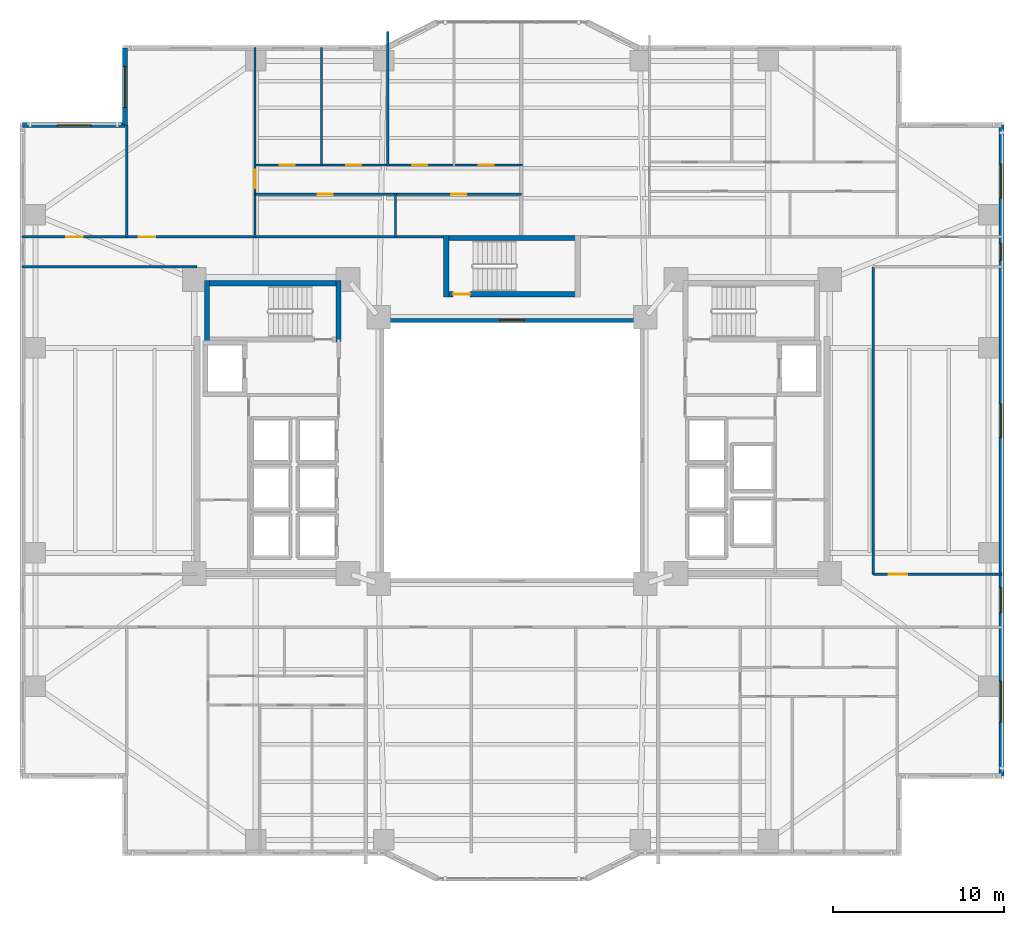
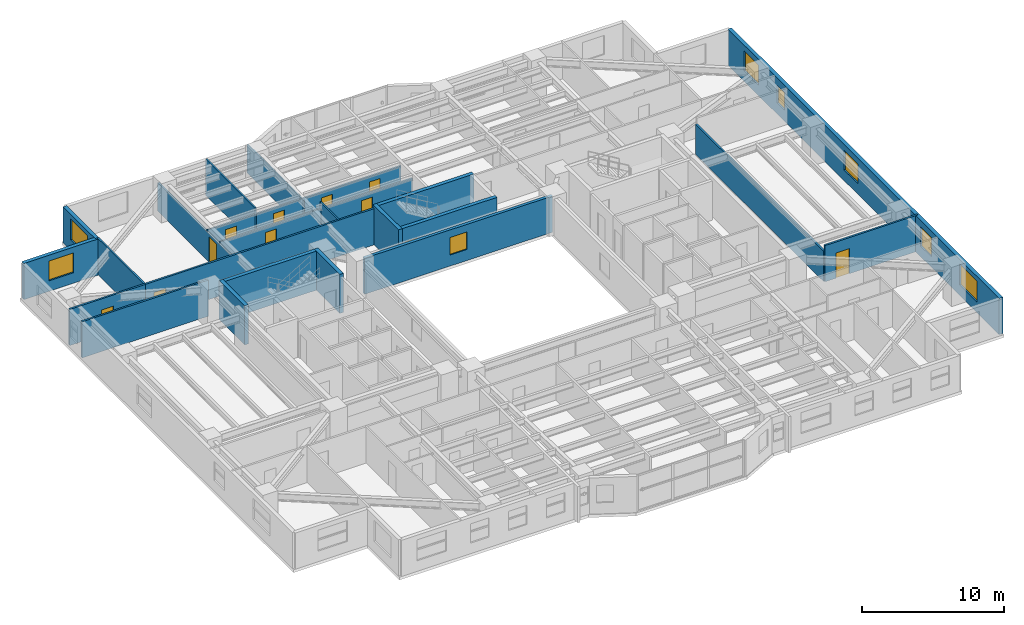
# One storey, part 13 of 20: 23 walls, 11 doors, 8 windows, 19 openings.
"""IFC4 building model written with IfcOpenShell, lengths in metres."""

from ifc_helpers import new_model, si_unit, direction, frame, frame_2d, origin, place, context, subcontext, project, spatial, rectangle, extrude, material, layer, layer_set, type_object, element, fill, save


model = new_model("IFC4")

# Units and contexts
model_context = context("Model", 3, precision=1e-05, world=origin(), true_north=direction((0.0, 1.0)))
body_context = subcontext(model_context, "Body", "Model", "MODEL_VIEW")
ifc_project = project(units=[si_unit("LENGTHUNIT", "METRE"), si_unit("AREAUNIT", "SQUARE_METRE"), si_unit("VOLUMEUNIT", "CUBIC_METRE"), si_unit("PLANEANGLEUNIT", "RADIAN"), si_unit("MASSUNIT", "GRAM", prefix="KILO")], contexts=[model_context])

# Site, building, storey
site_placement = place(None, origin())
site = spatial("IfcSite", under=ifc_project, at=site_placement, CompositionType="ELEMENT")
building_placement = place(site_placement, origin())
building = spatial("IfcBuilding", under=site, at=building_placement, Name="Tarnavaz Court Tower", CompositionType="ELEMENT")
storey_placement = place(building_placement, frame((0.0, 0.0, 30.699951171875)))
storey = spatial("IfcBuildingStorey", under=building, at=storey_placement, Name="L07", CompositionType="ELEMENT", Elevation=30.699951171875)

# Walls
ifc_material_1 = material(Name="Concrete C60/75", Category="concrete")
ifc_layer_1 = layer(ifc_material_1, 0.300048828125)
ifc_layer_set_1 = layer_set([ifc_layer_1], Name="Concrete C60/75")
wall_type_1 = type_object("IfcWallType", Name="WL-CORE-300-C60", PredefinedType="SHEAR", material=ifc_layer_set_1)
wall_1_placement = place(storey_placement, frame((-18.0, 9.7900390625, 0.0), z_axis=(0.0, 0.0, 1.0), x_axis=(1.0, 0.0, 0.0)))
element("IfcWall", 1, at=wall_1_placement, inside=storey, type_object=wall_type_1, Name="L07 West Stair Core Wall 001", PredefinedType="SHEAR", context=body_context, shape_type="SweptSolid", body=[
    extrude(rectangle(XDim=8.0, YDim=0.300048828125, at=frame_2d((4.0, 0.0))), origin(), (0.0, 0.0, 1.0), 3.35009765625),
])
for number, where, z_axis, x_axis, name in (
    (2, (-17.85009765625, 6.35009765625, 0.0), (0.0, 0.0, 1.0), (0.0, 1.0, 0.0), "L07 West Stair Core Wall 003"),
    (3, (-10.14990234375, 6.35009765625, 0.0), (0.0, 0.0, 1.0), (0.0, 1.0, 0.0), "L07 West Stair Core Wall 004"),
):
    element("IfcWall", number, at=place(storey_placement, frame(where, z_axis=z_axis, x_axis=x_axis)), inside=storey, type_object=wall_type_1, Name=name, PredefinedType="SHEAR", context=body_context, shape_type="SweptSolid", body=[
        extrude(rectangle(XDim=3.58984375, YDim=0.300048828125, at=frame_2d((1.794921875, 0.0))), origin(), (0.0, 0.0, 1.0), 3.35009765625),
    ])
wall_2_placement = place(storey_placement, frame((-4.0, 12.43994140625, 0.0), z_axis=(0.0, 0.0, 1.0), x_axis=(1.0, 0.0, 0.0)))
element("IfcWall", 4, at=wall_2_placement, inside=storey, type_object=wall_type_1, Name="L07 North Stair Core Wall 009", PredefinedType="SHEAR", context=body_context, shape_type="SweptSolid", body=[
    extrude(rectangle(XDim=8.0, YDim=0.300048828125, at=frame_2d((4.0, 0.0))), origin(), (0.0, 0.0, 1.0), 3.35009765625),
])

# Wall, opening, door
wall_3_placement = place(storey_placement, frame((-4.0, 9.14990234375, 0.0), z_axis=(0.0, 0.0, 1.0), x_axis=(1.0, 0.0, 0.0)))
wall_3 = element("IfcWall", 5, at=wall_3_placement, inside=storey, type_object=wall_type_1, Name="L07 North Stair Core Wall 010", PredefinedType="SHEAR", context=body_context, shape_type="SweptSolid", body=[
    extrude(rectangle(XDim=8.0, YDim=0.300048828125, at=frame_2d((4.0, 0.0))), origin(), (0.0, 0.0, 1.0), 3.35009765625),
])
opening_1_placement = place(wall_3_placement, frame((0.550048828125, 0.0, 0.0)))
opening_1 = element("IfcOpeningElement", 6, at=opening_1_placement, cuts=wall_3, Name="Opening D01", PredefinedType="OPENING", context=body_context, shape_type="SweptSolid", body=[
    extrude(rectangle(XDim=1.0, YDim=2.14990234375, at=frame_2d((0.5, 1.074951171875))), frame((0.0, 0.159912109375, 0.0), z_axis=(0.0, -1.0, 0.0), x_axis=(1.0, 0.0, 0.0)), (0.0, 0.0, 1.0), 0.320068359375),
])
ifc_material_2 = material(Name="Fire-Rated Hardwood Timber Core", Category="wood")
door_type_1 = type_object("IfcDoorType", Name="DR-FD90-1000", OperationType="NOTDEFINED", PredefinedType="DOOR", material=ifc_material_2)
door_1_placement = place(opening_1_placement, origin())
door_1 = element("IfcDoor", 7, at=door_1_placement, inside=storey, type_object=door_type_1, Name="L07 Stair ST-N1 Exit Door", OperationType="SINGLE_SWING_LEFT", OverallHeight=2.14990234375, OverallWidth=1.0, PredefinedType="DOOR", context=body_context, shape_type="SweptSolid", body=[
    extrude(rectangle(XDim=1.0, YDim=2.14990234375, at=frame_2d((0.5, 1.074951171875))), frame((0.0, 0.02490234375, 0.0), z_axis=(0.0, -1.0, 0.0), x_axis=(1.0, 0.0, 0.0)), (0.0, 0.0, 1.0), 0.050048828125),
])
fill(opening_1, door_1)

# Wall
wall_4_placement = place(storey_placement, frame((-3.85009765625, 9.0, 0.0), z_axis=(0.0, 0.0, 1.0), x_axis=(0.0, 1.0, 0.0)))
element("IfcWall", 8, at=wall_4_placement, inside=storey, type_object=wall_type_1, Name="L07 North Stair Core Wall 011", PredefinedType="SHEAR", context=body_context, shape_type="SweptSolid", body=[
    extrude(rectangle(XDim=3.590087890625, YDim=0.300048828125, at=frame_2d((1.794921875, 0.0))), origin(), (0.0, 0.0, 1.0), 3.35009765625),
])

# Wall, opening, window
ifc_material_3 = material(Name="Precast Concrete C40/50", Category="concrete")
ifc_layer_2 = layer(ifc_material_3, 0.300048828125)
ifc_layer_set_2 = layer_set([ifc_layer_2], Name="Precast Concrete C40/50")
wall_type_2 = type_object("IfcWallType", Name="WL-EXT-300", PredefinedType="SOLIDWALL", material=ifc_layer_set_2)
wall_5_placement = place(storey_placement, frame((-28.64990234375, 19.050048828125, 0.0), z_axis=(0.0, 0.0, 1.0), x_axis=(1.0, 0.0, 0.0)))
wall_5 = element("IfcWall", 9, at=wall_5_placement, inside=storey, type_object=wall_type_2, Name="L07 Exterior Terracotta Facade Wall 03", PredefinedType="SOLIDWALL", context=body_context, shape_type="SweptSolid", body=[
    extrude(rectangle(XDim=6.0, YDim=0.300048828125, at=frame_2d((3.0, 0.0))), origin(), (0.0, 0.0, 1.0), 3.10009765625),
])
opening_2_placement = place(wall_5_placement, frame((2.02490234375, 0.0, 0.89990234375)))
opening_2 = element("IfcOpeningElement", 10, at=opening_2_placement, cuts=wall_5, Name="Opening W08", PredefinedType="OPENING", context=body_context, shape_type="SweptSolid", body=[
    extrude(rectangle(XDim=2.0, YDim=1.699951171875, at=frame_2d((1.0, 0.85009765625))), frame((0.0, 0.159912109375, 0.0), z_axis=(0.0, -1.0, 0.0), x_axis=(1.0, 0.0, 0.0)), (0.0, 0.0, 1.0), 0.320068359375),
])
ifc_material_4 = material(Name="Double-Glazed Solar Low-E Glass", Category="glass")
window_type_1 = type_object("IfcWindowType", Name="WN-APT-2000", PartitioningType="DOUBLE_PANEL_VERTICAL", PredefinedType="WINDOW", material=ifc_material_4)
window_1_placement = place(opening_2_placement, origin())
window_1 = element("IfcWindow", 11, at=window_1_placement, inside=storey, type_object=window_type_1, Name="L07 North-West Corner Sunroom Study Window", OverallHeight=1.699951171875, OverallWidth=2.0, PartitioningType="SINGLE_PANEL", PredefinedType="WINDOW", context=body_context, shape_type="SweptSolid", body=[
    extrude(rectangle(XDim=2.0, YDim=1.699951171875, at=frame_2d((1.0, 0.85009765625))), frame((0.0, 0.030029296875, 0.0), z_axis=(0.0, -1.0, 0.0), x_axis=(1.0, 0.0, 0.0)), (0.0, 0.0, 1.0), 0.06005859375),
])
fill(opening_2, window_1)

wall_6_placement = place(storey_placement, frame((-22.64990234375, 19.050048828125, 0.0), z_axis=(0.0, 0.0, 1.0), x_axis=(0.0, 1.0, 0.0)))
wall_6 = element("IfcWall", 12, at=wall_6_placement, inside=storey, type_object=wall_type_2, Name="L07 Exterior Terracotta Facade Wall 04", PredefinedType="SOLIDWALL", context=body_context, shape_type="SweptSolid", body=[
    extrude(rectangle(XDim=4.5, YDim=0.300048828125, at=frame_2d((2.25, 0.0))), origin(), (0.0, 0.0, 1.0), 3.10009765625),
])
opening_3_placement = place(wall_6_placement, frame((1.032470703125, 0.0, 0.89990234375)))
opening_3 = element("IfcOpeningElement", 13, at=opening_3_placement, cuts=wall_6, Name="Opening W06", PredefinedType="OPENING", context=body_context, shape_type="SweptSolid", body=[
    extrude(rectangle(XDim=2.39990234375, YDim=1.800048828125, at=frame_2d((1.199951171875, 0.89990234375))), frame((0.0, 0.159912109375, 0.0), z_axis=(0.0, -1.0, 0.0), x_axis=(1.0, 0.0, 0.0)), (0.0, 0.0, 1.0), 0.320068359375),
])
window_type_2 = type_object("IfcWindowType", Name="WN-APT-2400", PartitioningType="TRIPLE_PANEL_VERTICAL", PredefinedType="WINDOW", material=ifc_material_4)
window_2_placement = place(opening_3_placement, origin())
window_2 = element("IfcWindow", 14, at=window_2_placement, inside=storey, type_object=window_type_2, Name="L07 Flat 01 Living and Dining Room Window", OverallHeight=1.800048828125, OverallWidth=2.39990234375, PartitioningType="SINGLE_PANEL", PredefinedType="WINDOW", context=body_context, shape_type="SweptSolid", body=[
    extrude(rectangle(XDim=2.39990234375, YDim=1.800048828125, at=frame_2d((1.199951171875, 0.89990234375))), frame((0.0, 0.030029296875, 0.0), z_axis=(0.0, -1.0, 0.0), x_axis=(1.0, 0.0, 0.0)), (0.0, 0.0, 1.0), 0.06005859375),
])
fill(opening_3, window_2)

# Wall, openings, windows
wall_7_placement = place(storey_placement, frame((28.64990234375, 19.050048828125, 0.0), z_axis=(0.0, 0.0, 1.0), x_axis=(0.0, -1.0, 0.0)))
wall_7 = element("IfcWall", 15, at=wall_7_placement, inside=storey, type_object=wall_type_2, Name="L07 Exterior Terracotta Facade Wall 12", PredefinedType="SOLIDWALL", context=body_context, shape_type="SweptSolid", body=[
    extrude(rectangle(XDim=38.10009765625, YDim=0.300048828125, at=frame_2d((19.050048828125, 0.0))), origin(), (0.0, 0.0, 1.0), 3.10009765625),
])
opening_4_placement = place(wall_7_placement, frame((2.27490234375, 0.0, 0.89990234375)))
opening_4 = element("IfcOpeningElement", 16, at=opening_4_placement, cuts=wall_7, Name="Opening W08", PredefinedType="OPENING", context=body_context, shape_type="SweptSolid", body=[
    extrude(rectangle(XDim=2.0, YDim=1.699951171875, at=frame_2d((1.0, 0.85009765625))), frame((0.0, 0.159912109375, 0.0), z_axis=(0.0, -1.0, 0.0), x_axis=(1.0, 0.0, 0.0)), (0.0, 0.0, 1.0), 0.320068359375),
])
opening_5_placement = place(wall_7_placement, frame((6.925048828125, 0.0, 0.949951171875)))
opening_5 = element("IfcOpeningElement", 17, at=opening_5_placement, cuts=wall_7, Name="Opening W14", PredefinedType="OPENING", context=body_context, shape_type="SweptSolid", body=[
    extrude(rectangle(XDim=1.0, YDim=1.5, at=frame_2d((0.5, 0.75))), frame((0.0, 0.159912109375, 0.0), z_axis=(0.0, -1.0, 0.0), x_axis=(1.0, 0.0, 0.0)), (0.0, 0.0, 1.0), 0.320068359375),
])
opening_6_placement = place(wall_7_placement, frame((16.300048828125, 0.0, 0.89990234375)))
opening_6 = element("IfcOpeningElement", 18, at=opening_6_placement, cuts=wall_7, Name="Opening W08", PredefinedType="OPENING", context=body_context, shape_type="SweptSolid", body=[
    extrude(rectangle(XDim=2.0, YDim=1.699951171875, at=frame_2d((1.0, 0.85009765625))), frame((0.0, 0.159912109375, 0.0), z_axis=(0.0, -1.0, 0.0), x_axis=(1.0, 0.0, 0.0)), (0.0, 0.0, 1.0), 0.320068359375),
])
opening_7_placement = place(wall_7_placement, frame((27.0576171875, 0.0, 0.89990234375)))
opening_7 = element("IfcOpeningElement", 19, at=opening_7_placement, cuts=wall_7, Name="Opening W03", PredefinedType="OPENING", context=body_context, shape_type="SweptSolid", body=[
    extrude(rectangle(XDim=1.5, YDim=1.64990234375, at=frame_2d((0.75, 0.824951171875))), frame((0.0, 0.159912109375, 0.0), z_axis=(0.0, -1.0, 0.0), x_axis=(1.0, 0.0, 0.0)), (0.0, 0.0, 1.0), 0.320068359375),
])
opening_8_placement = place(wall_7_placement, frame((32.550048828125, 0.0, 0.89990234375)))
opening_8 = element("IfcOpeningElement", 20, at=opening_8_placement, cuts=wall_7, Name="Opening W06", PredefinedType="OPENING", context=body_context, shape_type="SweptSolid", body=[
    extrude(rectangle(XDim=2.39990234375, YDim=1.800048828125, at=frame_2d((1.199951171875, 0.89990234375))), frame((0.0, 0.159912109375, 0.0), z_axis=(0.0, -1.0, 0.0), x_axis=(1.0, 0.0, 0.0)), (0.0, 0.0, 1.0), 0.320068359375),
])
window_type_3 = type_object("IfcWindowType", Name="WN-APT-1000", PartitioningType="SINGLE_PANEL", PredefinedType="WINDOW", material=ifc_material_4)
window_3_placement = place(opening_5_placement, origin())
window_3 = element("IfcWindow", 21, at=window_3_placement, inside=storey, type_object=window_type_3, Name="L07 North-East Corner Corridor Window", OverallHeight=1.5, OverallWidth=1.0, PartitioningType="SINGLE_PANEL", PredefinedType="WINDOW", context=body_context, shape_type="SweptSolid", body=[
    extrude(rectangle(XDim=1.0, YDim=1.5, at=frame_2d((0.5, 0.75))), frame((0.0, 0.030029296875, 0.0), z_axis=(0.0, -1.0, 0.0), x_axis=(1.0, 0.0, 0.0)), (0.0, 0.0, 1.0), 0.06005859375),
])
fill(opening_5, window_3)
window_type_4 = type_object("IfcWindowType", Name="WN-APT-1500", PartitioningType="DOUBLE_PANEL_VERTICAL", PredefinedType="WINDOW", material=ifc_material_4)
window_4_placement = place(opening_7_placement, origin())
window_4 = element("IfcWindow", 22, at=window_4_placement, inside=storey, type_object=window_type_4, Name="L07 South-East Corner Corridor Window", OverallHeight=1.64990234375, OverallWidth=1.5, PartitioningType="SINGLE_PANEL", PredefinedType="WINDOW", context=body_context, shape_type="SweptSolid", body=[
    extrude(rectangle(XDim=1.5, YDim=1.64990234375, at=frame_2d((0.75, 0.824951171875))), frame((0.0, 0.030029296875, 0.0), z_axis=(0.0, -1.0, 0.0), x_axis=(1.0, 0.0, 0.0)), (0.0, 0.0, 1.0), 0.06005859375),
])
fill(opening_7, window_4)
window_5_placement = place(opening_4_placement, origin())
window_5 = element("IfcWindow", 23, at=window_5_placement, inside=storey, type_object=window_type_1, Name="L07 North-East Corner Sunroom Study Window", OverallHeight=1.699951171875, OverallWidth=2.0, PartitioningType="SINGLE_PANEL", PredefinedType="WINDOW", context=body_context, shape_type="SweptSolid", body=[
    extrude(rectangle(XDim=2.0, YDim=1.699951171875, at=frame_2d((1.0, 0.85009765625))), frame((0.0, 0.030029296875, 0.0), z_axis=(0.0, -1.0, 0.0), x_axis=(1.0, 0.0, 0.0)), (0.0, 0.0, 1.0), 0.06005859375),
])
fill(opening_4, window_5)
window_6_placement = place(opening_6_placement, origin())
window_6 = element("IfcWindow", 24, at=window_6_placement, inside=storey, type_object=window_type_1, Name="L07 East Wing Resident Fitness Lounge Window", OverallHeight=1.699951171875, OverallWidth=2.0, PartitioningType="SINGLE_PANEL", PredefinedType="WINDOW", context=body_context, shape_type="SweptSolid", body=[
    extrude(rectangle(XDim=2.0, YDim=1.699951171875, at=frame_2d((1.0, 0.85009765625))), frame((0.0, 0.030029296875, 0.0), z_axis=(0.0, -1.0, 0.0), x_axis=(1.0, 0.0, 0.0)), (0.0, 0.0, 1.0), 0.06005859375),
])
fill(opening_6, window_6)
window_7_placement = place(opening_8_placement, origin())
window_7 = element("IfcWindow", 25, at=window_7_placement, inside=storey, type_object=window_type_2, Name="L07 South-East Corner Reading Room Window", OverallHeight=1.800048828125, OverallWidth=2.39990234375, PartitioningType="SINGLE_PANEL", PredefinedType="WINDOW", context=body_context, shape_type="SweptSolid", body=[
    extrude(rectangle(XDim=2.39990234375, YDim=1.800048828125, at=frame_2d((1.199951171875, 0.89990234375))), frame((0.0, 0.030029296875, 0.0), z_axis=(0.0, -1.0, 0.0), x_axis=(1.0, 0.0, 0.0)), (0.0, 0.0, 1.0), 0.06005859375),
])
fill(opening_8, window_7)

# Wall, opening, door
ifc_material_5 = material(Name="Gypsum Fire-Board on Acoustic Metal Stud", Category="masonry")
ifc_layer_3 = layer(ifc_material_5, 0.14990234375)
ifc_layer_set_3 = layer_set([ifc_layer_3], Name="Gypsum Fire-Board on Acoustic Metal Stud")
wall_type_3 = type_object("IfcWallType", Name="WL-FIRE-150", PredefinedType="PARTITIONING", material=ifc_layer_set_3)
wall_8_placement = place(storey_placement, frame((-22.550048828125, 12.5, 0.0), z_axis=(0.0, 0.0, 1.0), x_axis=(1.0, 0.0, 0.0)))
wall_8 = element("IfcWall", 26, at=wall_8_placement, inside=storey, type_object=wall_type_3, Name="L07 NW Wing Corridor Wall 081", PredefinedType="PARTITIONING", context=body_context, shape_type="SweptSolid", body=[
    extrude(rectangle(XDim=18.699951171875, YDim=0.14990234375, at=frame_2d((9.35009765625, 0.0))), origin(), (0.0, 0.0, 1.0), 3.10009765625),
])
opening_9_placement = place(wall_8_placement, frame((0.699951171875, 0.0, 0.0)))
opening_9 = element("IfcOpeningElement", 27, at=opening_9_placement, cuts=wall_8, Name="Opening D06", PredefinedType="OPENING", context=body_context, shape_type="SweptSolid", body=[
    extrude(rectangle(XDim=0.9599609375, YDim=2.14990234375, at=frame_2d((0.47998046875, 1.074951171875))), frame((0.0, 0.0849609375, 0.0), z_axis=(0.0, -1.0, 0.0), x_axis=(1.0, 0.0, 0.0)), (0.0, 0.0, 1.0), 0.169921875),
])
door_type_2 = type_object("IfcDoorType", Name="DR-FD60-950", OperationType="NOTDEFINED", PredefinedType="DOOR", material=ifc_material_2)
door_2_placement = place(opening_9_placement, origin())
door_2 = element("IfcDoor", 28, at=door_2_placement, inside=storey, type_object=door_type_2, Name="L07 Flat 01 Entrance Door", OperationType="SINGLE_SWING_LEFT", OverallHeight=2.14990234375, OverallWidth=0.9599609375, PredefinedType="DOOR", context=body_context, shape_type="SweptSolid", body=[
    extrude(rectangle(XDim=0.9599609375, YDim=2.14990234375, at=frame_2d((0.47998046875, 1.074951171875))), frame((0.0, 0.02490234375, 0.0), z_axis=(0.0, -1.0, 0.0), x_axis=(1.0, 0.0, 0.0)), (0.0, 0.0, 1.0), 0.050048828125),
])
fill(opening_9, door_2)

# Walls
wall_9_placement = place(storey_placement, frame((21.14990234375, -7.25, 0.0), z_axis=(0.0, 0.0, 1.0), x_axis=(0.0, 1.0, 0.0)))
element("IfcWall", 29, at=wall_9_placement, inside=storey, type_object=wall_type_3, Name="L07 East Outer Link Wall 083", PredefinedType="PARTITIONING", context=body_context, shape_type="SweptSolid", body=[
    extrude(rectangle(XDim=18.0, YDim=0.14990234375, at=frame_2d((9.0, 0.0))), origin(), (0.0, 0.0, 1.0), 2.5849609375),
])
wall_10_placement = place(storey_placement, frame((-28.679931640625, 10.75, 0.0), z_axis=(0.0, 0.0, 1.0), x_axis=(1.0, 0.0, 0.0)))
element("IfcWall", 30, at=wall_10_placement, inside=storey, type_object=wall_type_3, Name="L07 Interior Partition 122", PredefinedType="PARTITIONING", context=body_context, shape_type="SweptSolid", body=[
    extrude(rectangle(XDim=10.22998046875, YDim=0.14990234375, at=frame_2d((5.114990234375, 0.0))), origin(), (0.0, 0.0, 1.0), 3.10009765625),
])

# Wall, opening, door
wall_11_placement = place(storey_placement, frame((21.14990234375, -7.25, 0.0), z_axis=(0.0, 0.0, 1.0), x_axis=(1.0, 0.0, 0.0)))
wall_11 = element("IfcWall", 31, at=wall_11_placement, inside=storey, type_object=wall_type_3, Name="L07 Interior Partition 123", PredefinedType="PARTITIONING", context=body_context, shape_type="SweptSolid", body=[
    extrude(rectangle(XDim=7.530029296875, YDim=0.14990234375, at=frame_2d((3.76513671875, 0.0))), origin(), (0.0, 0.0, 1.0), 3.10009765625),
])
opening_10_placement = place(wall_11_placement, frame((0.89990234375, 0.0, 0.0)))
opening_10 = element("IfcOpeningElement", 32, at=opening_10_placement, cuts=wall_11, Name="Opening D12", PredefinedType="OPENING", context=body_context, shape_type="SweptSolid", body=[
    extrude(rectangle(XDim=1.080078125, YDim=2.14990234375, at=frame_2d((0.5400390625, 1.074951171875))), frame((0.0, 0.0849609375, 0.0), z_axis=(0.0, -1.0, 0.0), x_axis=(1.0, 0.0, 0.0)), (0.0, 0.0, 1.0), 0.169921875),
])
ifc_material_6 = material(Name="Engineered Oak Timber", Category="wood")
door_type_3 = type_object("IfcDoorType", Name="DR-INT-1100", OperationType="NOTDEFINED", PredefinedType="DOOR", material=ifc_material_6)
door_3_placement = place(opening_10_placement, origin())
door_3 = element("IfcDoor", 33, at=door_3_placement, inside=storey, type_object=door_type_3, Name="L07 East Fitness Lounge Door", OperationType="SINGLE_SWING_RIGHT", OverallHeight=2.14990234375, OverallWidth=1.080078125, PredefinedType="DOOR", context=body_context, shape_type="SweptSolid", body=[
    extrude(rectangle(XDim=1.080078125, YDim=2.14990234375, at=frame_2d((0.5400390625, 1.074951171875))), frame((0.0, 0.02490234375, 0.0), z_axis=(0.0, -1.0, 0.0), x_axis=(1.0, 0.0, 0.0)), (0.0, 0.0, 1.0), 0.050048828125),
])
fill(opening_10, door_3)

wall_12_placement = place(storey_placement, frame((-28.679931640625, 12.5, 0.0), z_axis=(0.0, 0.0, 1.0), x_axis=(1.0, 0.0, 0.0)))
wall_12 = element("IfcWall", 34, at=wall_12_placement, inside=storey, type_object=wall_type_3, Name="L07 Interior Partition 129", PredefinedType="PARTITIONING", context=body_context, shape_type="SweptSolid", body=[
    extrude(rectangle(XDim=6.1298828125, YDim=0.14990234375, at=frame_2d((3.06494140625, 0.0))), origin(), (0.0, 0.0, 1.0), 3.10009765625),
])
opening_11_placement = place(wall_12_placement, frame((2.590087890625, 0.0, 0.0)))
opening_11 = element("IfcOpeningElement", 35, at=opening_11_placement, cuts=wall_12, Name="Opening D13", PredefinedType="OPENING", context=body_context, shape_type="SweptSolid", body=[
    extrude(rectangle(XDim=0.949951171875, YDim=2.14990234375, at=frame_2d((0.47509765625, 1.074951171875))), frame((0.0, 0.0849609375, 0.0), z_axis=(0.0, -1.0, 0.0), x_axis=(1.0, 0.0, 0.0)), (0.0, 0.0, 1.0), 0.169921875),
])
door_type_4 = type_object("IfcDoorType", Name="DR-INT-950", OperationType="NOTDEFINED", PredefinedType="DOOR", material=ifc_material_6)
door_4_placement = place(opening_11_placement, origin())
door_4 = element("IfcDoor", 36, at=door_4_placement, inside=storey, type_object=door_type_4, Name="L07 NW Sunroom Door", OperationType="SINGLE_SWING_LEFT", OverallHeight=2.14990234375, OverallWidth=0.949951171875, PredefinedType="DOOR", context=body_context, shape_type="SweptSolid", body=[
    extrude(rectangle(XDim=0.949951171875, YDim=2.14990234375, at=frame_2d((0.47509765625, 1.074951171875))), frame((0.0, 0.02490234375, 0.0), z_axis=(0.0, -1.0, 0.0), x_axis=(1.0, 0.0, 0.0)), (0.0, 0.0, 1.0), 0.050048828125),
])
fill(opening_11, door_4)

ifc_material_7 = material(Name="Moisture-Resistant Gypsum Board Partition", Category="masonry")
ifc_layer_4 = layer(ifc_material_7, 0.1201171875)
ifc_layer_set_4 = layer_set([ifc_layer_4], Name="Moisture-Resistant Gypsum Board Partition")
wall_type_4 = type_object("IfcWallType", Name="WL-PART-120", PredefinedType="PARTITIONING", material=ifc_layer_set_4)
wall_13_placement = place(storey_placement, frame((-15.034912109375, 12.43994140625, 0.0), z_axis=(0.0, 0.0, 1.0), x_axis=(0.0, 1.0, 0.0)))
wall_13 = element("IfcWall", 37, at=wall_13_placement, inside=storey, type_object=wall_type_4, Name="L07 Interior Partition 088", PredefinedType="PARTITIONING", context=body_context, shape_type="SweptSolid", body=[
    extrude(rectangle(XDim=11.16015625, YDim=0.1201171875, at=frame_2d((5.580078125, 0.0))), origin(), (0.0, 0.0, 1.0), 2.43505859375),
])
opening_12_placement = place(wall_13_placement, frame((2.905029296875, 0.0, 0.0)))
opening_12 = element("IfcOpeningElement", 38, at=opening_12_placement, cuts=wall_13, Name="Opening D12", PredefinedType="OPENING", context=body_context, shape_type="SweptSolid", body=[
    extrude(rectangle(XDim=1.080078125, YDim=2.14990234375, at=frame_2d((0.5400390625, 1.074951171875))), frame((0.0, 0.070068359375, 0.0), z_axis=(0.0, -1.0, 0.0), x_axis=(1.0, 0.0, 0.0)), (0.0, 0.0, 1.0), 0.14013671875),
])
door_5_placement = place(opening_12_placement, origin())
door_5 = element("IfcDoor", 39, at=door_5_placement, inside=storey, type_object=door_type_3, Name="L07 Flat 01 Foyer Door", OperationType="SINGLE_SWING_RIGHT", OverallHeight=2.14990234375, OverallWidth=1.080078125, PredefinedType="DOOR", context=body_context, shape_type="SweptSolid", body=[
    extrude(rectangle(XDim=1.080078125, YDim=2.14990234375, at=frame_2d((0.5400390625, 1.074951171875))), frame((0.0, 0.02490234375, 0.0), z_axis=(0.0, -1.0, 0.0), x_axis=(1.0, 0.0, 0.0)), (0.0, 0.0, 1.0), 0.050048828125),
])
fill(opening_12, door_5)

wall_14_placement = place(storey_placement, frame((-15.034912109375, 15.0, 0.0), z_axis=(0.0, 0.0, 1.0), x_axis=(1.0, 0.0, 0.0)))
wall_14 = element("IfcWall", 40, at=wall_14_placement, inside=storey, type_object=wall_type_4, Name="L07 Interior Partition 089", PredefinedType="PARTITIONING", context=body_context, shape_type="SweptSolid", body=[
    extrude(rectangle(XDim=8.22802734375, YDim=0.1201171875, at=frame_2d((4.114013671875, 0.0))), origin(), (0.0, 0.0, 1.0), 2.5849609375),
])
opening_13_placement = place(wall_14_placement, frame((3.674072265625, 0.0, 0.0)))
opening_13 = element("IfcOpeningElement", 41, at=opening_13_placement, cuts=wall_14, Name="Opening D14", PredefinedType="OPENING", context=body_context, shape_type="SweptSolid", body=[
    extrude(rectangle(XDim=0.8798828125, YDim=2.10009765625, at=frame_2d((0.43994140625, 1.050048828125))), frame((0.0, 0.070068359375, 0.0), z_axis=(0.0, -1.0, 0.0), x_axis=(1.0, 0.0, 0.0)), (0.0, 0.0, 1.0), 0.14013671875),
])
door_type_5 = type_object("IfcDoorType", Name="DR-INT-900", OperationType="NOTDEFINED", PredefinedType="DOOR", material=ifc_material_6)
door_6_placement = place(opening_13_placement, origin())
door_6 = element("IfcDoor", 42, at=door_6_placement, inside=storey, type_object=door_type_5, Name="L07 Flat 01 Kitchen Door", OperationType="SINGLE_SWING_LEFT", OverallHeight=2.10009765625, OverallWidth=0.8798828125, PredefinedType="DOOR", context=body_context, shape_type="SweptSolid", body=[
    extrude(rectangle(XDim=0.8798828125, YDim=2.10009765625, at=frame_2d((0.43994140625, 1.050048828125))), frame((0.0, 0.02490234375, 0.0), z_axis=(0.0, -1.0, 0.0), x_axis=(1.0, 0.0, 0.0)), (0.0, 0.0, 1.0), 0.050048828125),
])
fill(opening_13, door_6)

wall_15_placement = place(storey_placement, frame((-6.806884765625, 15.0, 0.0), z_axis=(0.0, 0.0, 1.0), x_axis=(1.0, 0.0, 0.0)))
wall_15 = element("IfcWall", 43, at=wall_15_placement, inside=storey, type_object=wall_type_4, Name="L07 Interior Partition 090", PredefinedType="PARTITIONING", context=body_context, shape_type="SweptSolid", body=[
    extrude(rectangle(XDim=7.35693359375, YDim=0.1201171875, at=frame_2d((3.678466796875, 0.0))), origin(), (0.0, 0.0, 1.0), 2.5849609375),
])
opening_14_placement = place(wall_15_placement, frame((3.239013671875, 0.0, 0.0)))
opening_14 = element("IfcOpeningElement", 44, at=opening_14_placement, cuts=wall_15, Name="Opening D14", PredefinedType="OPENING", context=body_context, shape_type="SweptSolid", body=[
    extrude(rectangle(XDim=0.8798828125, YDim=2.10009765625, at=frame_2d((0.43994140625, 1.050048828125))), frame((0.0, 0.070068359375, 0.0), z_axis=(0.0, -1.0, 0.0), x_axis=(1.0, 0.0, 0.0)), (0.0, 0.0, 1.0), 0.14013671875),
])
door_7_placement = place(opening_14_placement, origin())
door_7 = element("IfcDoor", 45, at=door_7_placement, inside=storey, type_object=door_type_5, Name="L07 Flat 01 Bathroom Door", OperationType="SINGLE_SWING_RIGHT", OverallHeight=2.10009765625, OverallWidth=0.8798828125, PredefinedType="DOOR", context=body_context, shape_type="SweptSolid", body=[
    extrude(rectangle(XDim=0.8798828125, YDim=2.10009765625, at=frame_2d((0.43994140625, 1.050048828125))), frame((0.0, 0.02490234375, 0.0), z_axis=(0.0, -1.0, 0.0), x_axis=(1.0, 0.0, 0.0)), (0.0, 0.0, 1.0), 0.050048828125),
])
fill(opening_14, door_7)

# Wall, openings, doors
wall_16_placement = place(storey_placement, frame((-15.094970703125, 16.7099609375, 0.0), z_axis=(0.0, 0.0, 1.0), x_axis=(1.0, 0.0, 0.0)))
wall_16 = element("IfcWall", 46, at=wall_16_placement, inside=storey, type_object=wall_type_4, Name="L07 Interior Partition 091", PredefinedType="PARTITIONING", context=body_context, shape_type="SweptSolid", body=[
    extrude(rectangle(XDim=15.705078125, YDim=0.1201171875, at=frame_2d((7.8525390625, 0.0))), origin(), (0.0, 0.0, 1.0), 2.5849609375),
])
opening_15_placement = place(wall_16_placement, frame((1.5009765625, 0.0, 0.0)))
opening_15 = element("IfcOpeningElement", 47, at=opening_15_placement, cuts=wall_16, Name="Opening D14", PredefinedType="OPENING", context=body_context, shape_type="SweptSolid", body=[
    extrude(rectangle(XDim=0.8798828125, YDim=2.10009765625, at=frame_2d((0.43994140625, 1.050048828125))), frame((0.0, 0.070068359375, 0.0), z_axis=(0.0, -1.0, 0.0), x_axis=(1.0, 0.0, 0.0)), (0.0, 0.0, 1.0), 0.14013671875),
])
opening_16_placement = place(wall_16_placement, frame((5.382080078125, 0.0, 0.0)))
opening_16 = element("IfcOpeningElement", 48, at=opening_16_placement, cuts=wall_16, Name="Opening D14", PredefinedType="OPENING", context=body_context, shape_type="SweptSolid", body=[
    extrude(rectangle(XDim=0.8798828125, YDim=2.10009765625, at=frame_2d((0.43994140625, 1.050048828125))), frame((0.0, 0.070068359375, 0.0), z_axis=(0.0, -1.0, 0.0), x_axis=(1.0, 0.0, 0.0)), (0.0, 0.0, 1.0), 0.14013671875),
])
opening_17_placement = place(wall_16_placement, frame((9.262939453125, 0.0, 0.0)))
opening_17 = element("IfcOpeningElement", 49, at=opening_17_placement, cuts=wall_16, Name="Opening D14", PredefinedType="OPENING", context=body_context, shape_type="SweptSolid", body=[
    extrude(rectangle(XDim=0.8798828125, YDim=2.10009765625, at=frame_2d((0.43994140625, 1.050048828125))), frame((0.0, 0.070068359375, 0.0), z_axis=(0.0, -1.0, 0.0), x_axis=(1.0, 0.0, 0.0)), (0.0, 0.0, 1.0), 0.14013671875),
])
opening_18_placement = place(wall_16_placement, frame((13.14404296875, 0.0, 0.0)))
opening_18 = element("IfcOpeningElement", 50, at=opening_18_placement, cuts=wall_16, Name="Opening D14", PredefinedType="OPENING", context=body_context, shape_type="SweptSolid", body=[
    extrude(rectangle(XDim=0.8798828125, YDim=2.10009765625, at=frame_2d((0.43994140625, 1.050048828125))), frame((0.0, 0.070068359375, 0.0), z_axis=(0.0, -1.0, 0.0), x_axis=(1.0, 0.0, 0.0)), (0.0, 0.0, 1.0), 0.14013671875),
])
door_8_placement = place(opening_15_placement, origin())
door_8 = element("IfcDoor", 51, at=door_8_placement, inside=storey, type_object=door_type_5, Name="L07 Flat 01 Bedroom 1 Door", OperationType="SINGLE_SWING_LEFT", OverallHeight=2.10009765625, OverallWidth=0.8798828125, PredefinedType="DOOR", context=body_context, shape_type="SweptSolid", body=[
    extrude(rectangle(XDim=0.8798828125, YDim=2.10009765625, at=frame_2d((0.43994140625, 1.050048828125))), frame((0.0, 0.02490234375, 0.0), z_axis=(0.0, -1.0, 0.0), x_axis=(1.0, 0.0, 0.0)), (0.0, 0.0, 1.0), 0.050048828125),
])
fill(opening_15, door_8)
door_9_placement = place(opening_16_placement, origin())
door_9 = element("IfcDoor", 52, at=door_9_placement, inside=storey, type_object=door_type_5, Name="L07 Flat 01 Bedroom 2 Door", OperationType="SINGLE_SWING_RIGHT", OverallHeight=2.10009765625, OverallWidth=0.8798828125, PredefinedType="DOOR", context=body_context, shape_type="SweptSolid", body=[
    extrude(rectangle(XDim=0.8798828125, YDim=2.10009765625, at=frame_2d((0.43994140625, 1.050048828125))), frame((0.0, 0.02490234375, 0.0), z_axis=(0.0, -1.0, 0.0), x_axis=(1.0, 0.0, 0.0)), (0.0, 0.0, 1.0), 0.050048828125),
])
fill(opening_16, door_9)
door_10_placement = place(opening_17_placement, origin())
door_10 = element("IfcDoor", 53, at=door_10_placement, inside=storey, type_object=door_type_5, Name="L07 Flat 01 Bedroom 3 Door", OperationType="SINGLE_SWING_LEFT", OverallHeight=2.10009765625, OverallWidth=0.8798828125, PredefinedType="DOOR", context=body_context, shape_type="SweptSolid", body=[
    extrude(rectangle(XDim=0.8798828125, YDim=2.10009765625, at=frame_2d((0.43994140625, 1.050048828125))), frame((0.0, 0.02490234375, 0.0), z_axis=(0.0, -1.0, 0.0), x_axis=(1.0, 0.0, 0.0)), (0.0, 0.0, 1.0), 0.050048828125),
])
fill(opening_17, door_10)
door_11_placement = place(opening_18_placement, origin())
door_11 = element("IfcDoor", 54, at=door_11_placement, inside=storey, type_object=door_type_5, Name="L07 Flat 01 Bedroom 4 Door", OperationType="SINGLE_SWING_RIGHT", OverallHeight=2.10009765625, OverallWidth=0.8798828125, PredefinedType="DOOR", context=body_context, shape_type="SweptSolid", body=[
    extrude(rectangle(XDim=0.8798828125, YDim=2.10009765625, at=frame_2d((0.43994140625, 1.050048828125))), frame((0.0, 0.02490234375, 0.0), z_axis=(0.0, -1.0, 0.0), x_axis=(1.0, 0.0, 0.0)), (0.0, 0.0, 1.0), 0.050048828125),
])
fill(opening_18, door_11)

# Walls
wall_17_placement = place(storey_placement, frame((-6.806884765625, 12.43994140625, 0.0), z_axis=(0.0, 0.0, 1.0), x_axis=(0.0, 1.0, 0.0)))
element("IfcWall", 55, at=wall_17_placement, inside=storey, type_object=wall_type_4, Name="L07 Interior Partition 092", PredefinedType="PARTITIONING", context=body_context, shape_type="SweptSolid", body=[
    extrude(rectangle(XDim=2.6201171875, YDim=0.1201171875, at=frame_2d((1.31005859375, 0.0))), origin(), (0.0, 0.0, 1.0), 3.10009765625),
])
wall_18_placement = place(storey_placement, frame((-11.154052734375, 16.64990234375, 0.0), z_axis=(0.0, 0.0, 1.0), x_axis=(0.0, 1.0, 0.0)))
element("IfcWall", 56, at=wall_18_placement, inside=storey, type_object=wall_type_4, Name="L07 Interior Partition 093", PredefinedType="PARTITIONING", context=body_context, shape_type="SweptSolid", body=[
    extrude(rectangle(XDim=6.9501953125, YDim=0.1201171875, at=frame_2d((3.47509765625, 0.0))), origin(), (0.0, 0.0, 1.0), 3.10009765625),
])
wall_19_placement = place(storey_placement, frame((-7.27197265625, 16.64990234375, 0.0), z_axis=(0.0, 0.0, 1.0), x_axis=(0.0, 1.0, 0.0)))
element("IfcWall", 57, at=wall_19_placement, inside=storey, type_object=wall_type_4, Name="L07 Interior Partition 094", PredefinedType="PARTITIONING", context=body_context, shape_type="SweptSolid", body=[
    extrude(rectangle(XDim=7.8701171875, YDim=0.1201171875, at=frame_2d((3.93505859375, 0.0))), origin(), (0.0, 0.0, 1.0), 2.43505859375),
])
ifc_material_8 = material(Name="Gypsum Plasterboard Acoustic Partition", Category="masonry")
ifc_layer_5 = layer(ifc_material_8, 0.139892578125)
ifc_layer_set_5 = layer_set([ifc_layer_5], Name="Gypsum Plasterboard Acoustic Partition")
wall_type_5 = type_object("IfcWallType", Name="WL-PART-150", PredefinedType="PARTITIONING", material=ifc_layer_set_5)
wall_20_placement = place(storey_placement, frame((-22.550048828125, 12.5, 0.0), z_axis=(0.0, 0.0, 1.0), x_axis=(0.0, 1.0, 0.0)))
element("IfcWall", 58, at=wall_20_placement, inside=storey, type_object=wall_type_5, Name="L07 Interior Partition 127", PredefinedType="PARTITIONING", context=body_context, shape_type="SweptSolid", body=[
    extrude(rectangle(XDim=6.550048828125, YDim=0.139892578125, at=frame_2d((3.27490234375, 0.0))), origin(), (0.0, 0.0, 1.0), 3.10009765625),
])

# Wall, opening, window
ifc_layer_6 = layer(ifc_material_3, 0.239990234375)
ifc_layer_set_6 = layer_set([ifc_layer_6], Name="Precast Concrete C40/50")
wall_type_6 = type_object("IfcWallType", Name="WL-WELL-240", PredefinedType="SOLIDWALL", material=ifc_layer_set_6)
wall_21_placement = place(storey_placement, frame((7.6201171875, 7.6201171875, 0.0), z_axis=(0.0, 0.0, 1.0), x_axis=(-1.0, 0.0, 0.0)))
wall_21 = element("IfcWall", 59, at=wall_21_placement, inside=storey, type_object=wall_type_6, Name="L07 Badgir Light-Well Exterior Wall N", PredefinedType="SOLIDWALL", context=body_context, shape_type="SweptSolid", body=[
    extrude(rectangle(XDim=15.240234375, YDim=0.239990234375, at=frame_2d((7.6201171875, 0.0))), origin(), (0.0, 0.0, 1.0), 3.10009765625),
])
opening_19_placement = place(wall_21_placement, frame((6.919921875, 0.0, 0.949951171875)))
opening_19 = element("IfcOpeningElement", 60, at=opening_19_placement, cuts=wall_21, Name="Opening W13", PredefinedType="OPENING", context=body_context, shape_type="SweptSolid", body=[
    extrude(rectangle(XDim=1.39990234375, YDim=1.5, at=frame_2d((0.699951171875, 0.75))), frame((0.0, 0.1298828125, 0.0), z_axis=(0.0, -1.0, 0.0), x_axis=(1.0, 0.0, 0.0)), (0.0, 0.0, 1.0), 0.260009765625),
])
window_type_5 = type_object("IfcWindowType", Name="WN-WEL-1400", PartitioningType="SINGLE_PANEL", PredefinedType="WINDOW", material=ifc_material_4)
window_8_placement = place(opening_19_placement, origin())
window_8 = element("IfcWindow", 61, at=window_8_placement, inside=storey, type_object=window_type_5, Name="L07 Courtyard Gallery Window N", OverallHeight=1.5, OverallWidth=1.39990234375, PartitioningType="SINGLE_PANEL", PredefinedType="WINDOW", context=body_context, shape_type="SweptSolid", body=[
    extrude(rectangle(XDim=1.39990234375, YDim=1.5, at=frame_2d((0.699951171875, 0.75))), frame((0.0, 0.030029296875, 0.0), z_axis=(0.0, -1.0, 0.0), x_axis=(1.0, 0.0, 0.0)), (0.0, 0.0, 1.0), 0.06005859375),
])
fill(opening_19, window_8)

save(model, "model.ifc")
